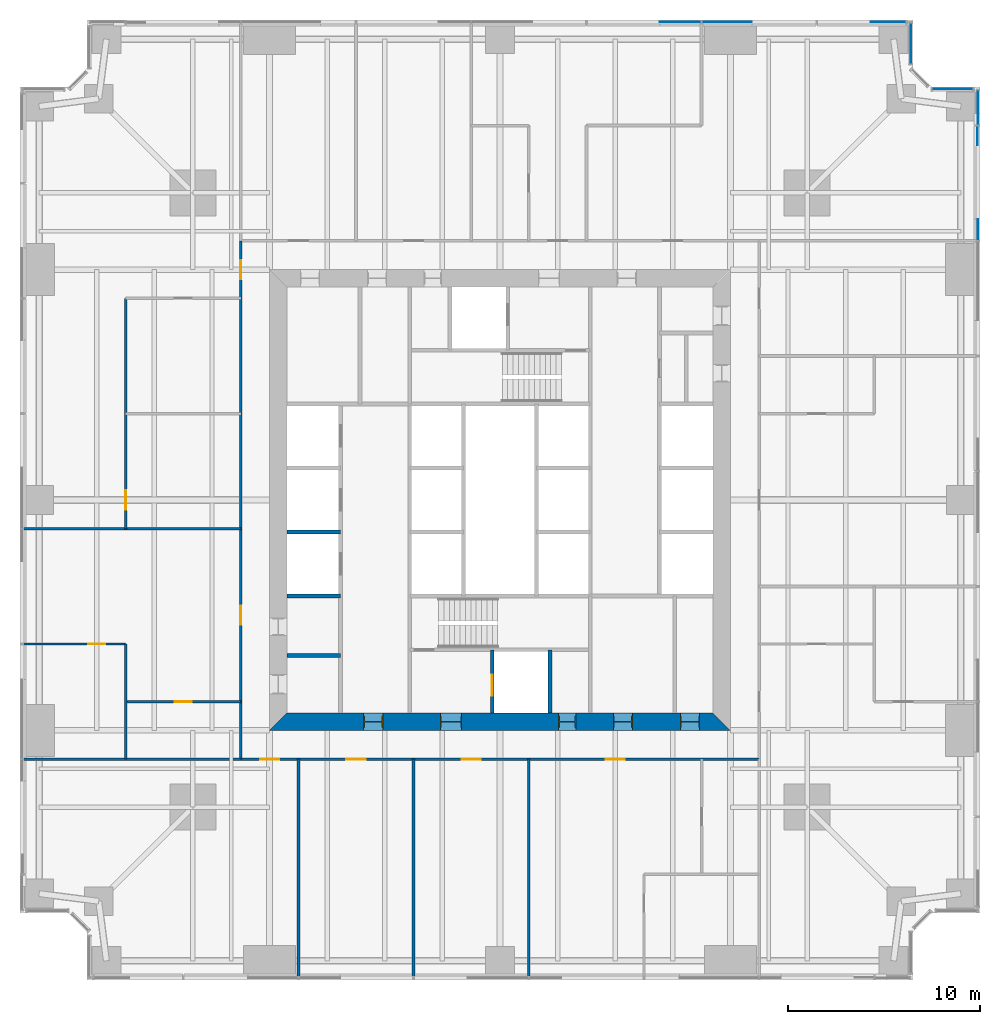
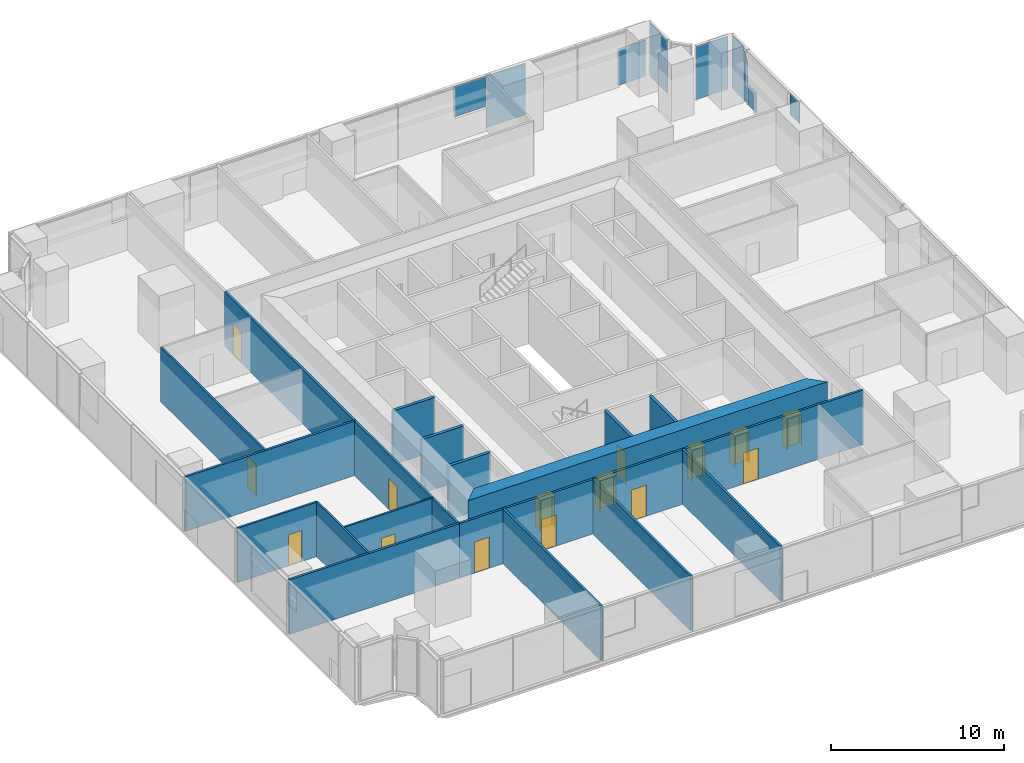
# One storey, part 9 of 14: 17 walls, 15 doors, 8 plates, 15 openings, 4 elements without a shape of their own.
"""IFC4 building model written with IfcOpenShell, lengths in metres."""

from ifc_helpers import new_model, si_unit, direction, frame, frame_2d, origin, origin_2d, place, context, subcontext, project, spatial, polyline, rectangle, outline, extrude, material, layer, layer_set, type_object, element, fill, aggregate, save


model = new_model("IFC4")

# Units and contexts
model_context = context("Model", 3, precision=1e-05, world=origin(), true_north=direction((0.0, 1.0)))
body_context = subcontext(model_context, "Body", "Model", "MODEL_VIEW")
ifc_project = project(units=[si_unit("LENGTHUNIT", "METRE"), si_unit("AREAUNIT", "SQUARE_METRE"), si_unit("VOLUMEUNIT", "CUBIC_METRE"), si_unit("PLANEANGLEUNIT", "RADIAN"), si_unit("MASSUNIT", "GRAM", prefix="KILO")], contexts=[model_context])

# Site, building, storey
site_placement = place(None, origin())
site = spatial("IfcSite", under=ifc_project, at=site_placement, CompositionType="ELEMENT")
building_placement = place(site_placement, origin())
building = spatial("IfcBuilding", under=site, at=building_placement, Name="Fenwick Lantern Interchange", CompositionType="ELEMENT")
storey_placement = place(building_placement, frame((0.0, 0.0, 59.0)))
storey = spatial("IfcBuildingStorey", under=building, at=storey_placement, Name="L13", CompositionType="ELEMENT", Elevation=59.0)

# Curtain wall, plates
ifc_material_1 = material(Name="Aluminium curtain wall frame", Category="aluminium")
curtain_wall_type = type_object("IfcCurtainWallType", Name="OFFICE CURTAIN WALL", PredefinedType="USERDEFINED", material=ifc_material_1)
curtain_wall_1_placement = place(storey_placement, origin())
curtain_wall_1 = element("IfcCurtainWall", 1, at=curtain_wall_1_placement, inside=storey, type_object=curtain_wall_type, Name="Office curtain wall 05", ObjectType="OFFICE CURTAIN WALL", PredefinedType="USERDEFINED")
ifc_material_2 = material(Name="Vision glass, clear low-iron double glazed", Category="glass")
ifc_layer_1 = layer(ifc_material_2, 0.031982421875)
ifc_layer_set_1 = layer_set([ifc_layer_1], Name="OFFICE CURTAIN WALL PANEL 32")
plate_type = type_object("IfcPlateType", Name="OFFICE CURTAIN WALL PANEL 32", PredefinedType="CURTAIN_PANEL", material=ifc_layer_set_1)
plate_1_placement = place(storey_placement, frame((49.89990234375, 3.60009765625, 2.21044921875), z_axis=(0.0, 0.0, 1.0), x_axis=(0.0, 1.0, 0.0)))
plate_1 = element("IfcPlate", 2, at=plate_1_placement, type_object=plate_type, Name="L13/CW/05/P06a", PredefinedType="CURTAIN_PANEL", context=body_context, shape_type="SweptSolid", body=[
    extrude(outline(polyline([(34.9326171875, 0.0), (36.0224609375, 0.0), (36.0224609375, 1.53955078125), (34.9326171875, 1.53955078125), (34.9326171875, 0.0)])), frame((0.0, 0.01611328125, 0.0), z_axis=(0.0, -1.0, 0.0), x_axis=(1.0, 0.0, 0.0)), (0.0, 0.0, 1.0), 0.031982421875),
])
plate_2_placement = place(storey_placement, frame((49.89990234375, 3.60009765625, 0.0), z_axis=(0.0, 0.0, 1.0), x_axis=(0.0, 1.0, 0.0)))
plate_2 = element("IfcPlate", 3, at=plate_2_placement, type_object=plate_type, Name="L13/CW/05/P06b", PredefinedType="CURTAIN_PANEL", context=body_context, shape_type="SweptSolid", body=[
    extrude(outline(polyline([(39.868408203125, 0.0), (40.867431640625, 0.0), (40.867431640625, 1.411865234375), (39.868408203125, 1.411865234375), (39.868408203125, 0.0)])), frame((0.0, 0.0498046875, 0.0), z_axis=(0.0, -1.0, 0.0), x_axis=(1.0, 0.0, 0.0)), (0.0, 0.0, 1.0), 0.031982421875),
])
plate_3_placement = place(storey_placement, frame((49.89990234375, 3.60009765625, 0.0), z_axis=(0.0, 0.0, 1.0), x_axis=(0.0, 1.0, 0.0)))
plate_3 = element("IfcPlate", 4, at=plate_3_placement, type_object=plate_type, Name="L13/CW/05/P07a", PredefinedType="CURTAIN_PANEL", context=body_context, shape_type="SweptSolid", body=[
    extrude(outline(polyline([(40.9326171875, 0.0), (42.735107421875, 0.0), (42.735107421875, 3.75), (41.524658203125, 3.75), (40.9326171875, 2.9140625), (40.9326171875, 0.0)])), frame((0.0, 0.01611328125, 0.0), z_axis=(0.0, -1.0, 0.0), x_axis=(1.0, 0.0, 0.0)), (0.0, 0.0, 1.0), 0.031982421875),
])
aggregate(curtain_wall_1, [plate_1, plate_2, plate_3])

# Curtain wall, plate
curtain_wall_2_placement = place(storey_placement, origin())
curtain_wall_2 = element("IfcCurtainWall", 5, at=curtain_wall_2_placement, inside=storey, type_object=curtain_wall_type, Name="Office curtain wall 06", ObjectType="OFFICE CURTAIN WALL", PredefinedType="USERDEFINED")
plate_4_placement = place(storey_placement, frame((48.579345703125, 46.39990234375, 0.0), z_axis=(0.0, 0.0, 1.0), x_axis=(-1.0, 0.0, 0.0)))
plate_4 = element("IfcPlate", 6, at=plate_4_placement, type_object=plate_type, Name="L13/CW/06/P00", PredefinedType="CURTAIN_PANEL", context=body_context, shape_type="SweptSolid", body=[
    extrude(rectangle(XDim=2.111328125, YDim=0.031982421875, at=origin_2d()), origin(), (0.0, 0.0, 1.0), 3.75),
])
aggregate(curtain_wall_2, [plate_4])

curtain_wall_3_placement = place(storey_placement, origin())
curtain_wall_3 = element("IfcCurtainWall", 7, at=curtain_wall_3_placement, inside=storey, type_object=curtain_wall_type, Name="Office curtain wall 08", ObjectType="OFFICE CURTAIN WALL", PredefinedType="USERDEFINED")
plate_5_placement = place(storey_placement, frame((46.39990234375, 48.779296875, 0.0), z_axis=(0.0, 0.0, 1.0), x_axis=(0.0, 1.0, 0.0)))
plate_5 = element("IfcPlate", 8, at=plate_5_placement, type_object=plate_type, Name="L13/CW/08/P00", PredefinedType="CURTAIN_PANEL", context=body_context, shape_type="SweptSolid", body=[
    extrude(rectangle(XDim=2.111328125, YDim=0.031982421875, at=origin_2d()), origin(), (0.0, 0.0, 1.0), 3.75),
])
aggregate(curtain_wall_3, [plate_5])

# Curtain wall, plates
curtain_wall_4_placement = place(storey_placement, origin())
curtain_wall_4 = element("IfcCurtainWall", 9, at=curtain_wall_4_placement, inside=storey, type_object=curtain_wall_type, Name="Office curtain wall 09", ObjectType="OFFICE CURTAIN WALL", PredefinedType="USERDEFINED")
plate_6_placement = place(storey_placement, frame((46.39990234375, 49.89990234375, 0.0), z_axis=(0.0, 0.0, 1.0), x_axis=(-1.0, 0.0, 0.0)))
plate_6 = element("IfcPlate", 10, at=plate_6_placement, type_object=plate_type, Name="L13/CW/09/P00a", PredefinedType="CURTAIN_PANEL", context=body_context, shape_type="SweptSolid", body=[
    extrude(outline(polyline([(0.264892578125, 0.0), (2.10009765625, 0.0), (2.10009765625, 2.585693359375), (0.264892578125, 2.585693359375), (0.264892578125, 0.0)])), frame((0.0, 0.01611328125, 0.0), z_axis=(0.0, -1.0, 0.0), x_axis=(1.0, 0.0, 0.0)), (0.0, 0.0, 1.0), 0.031982421875),
])
plate_7_placement = place(storey_placement, frame((46.39990234375, 49.89990234375, 0.093505859375), z_axis=(0.0, 0.0, 1.0), x_axis=(-1.0, 0.0, 0.0)))
plate_7 = element("IfcPlate", 11, at=plate_7_placement, type_object=plate_type, Name="L13/CW/09/P01a", PredefinedType="CURTAIN_PANEL", context=body_context, shape_type="SweptSolid", body=[
    extrude(outline(polyline([(8.277099609375, 0.0), (10.867431640625, 0.0), (10.867431640625, 3.656494140625), (8.277099609375, 3.656494140625), (8.277099609375, 0.0)])), frame((0.0, 0.01611328125, 0.0), z_axis=(0.0, -1.0, 0.0), x_axis=(1.0, 0.0, 0.0)), (0.0, 0.0, 1.0), 0.031982421875),
])
plate_8_placement = place(storey_placement, frame((46.39990234375, 49.89990234375, 1.612060546875), z_axis=(0.0, 0.0, 1.0), x_axis=(-1.0, 0.0, 0.0)))
plate_8 = element("IfcPlate", 12, at=plate_8_placement, type_object=plate_type, Name="L13/CW/09/P02a", PredefinedType="CURTAIN_PANEL", context=body_context, shape_type="SweptSolid", body=[
    extrude(outline(polyline([(10.9326171875, 0.0), (13.072509765625, 0.0), (13.072509765625, 2.137939453125), (10.9326171875, 2.137939453125), (10.9326171875, 0.0)])), frame((0.0, 0.01611328125, 0.0), z_axis=(0.0, -1.0, 0.0), x_axis=(1.0, 0.0, 0.0)), (0.0, 0.0, 1.0), 0.031982421875),
])
aggregate(curtain_wall_4, [plate_6, plate_7, plate_8])

# Walls
ifc_material_3 = material(Name="Concrete masonry ASTM C90 Grade N", Category="masonry")
ifc_layer_2 = layer(ifc_material_3, 0.199951171875)
ifc_layer_set_2 = layer_set([ifc_layer_2], Name="Concrete masonry ASTM C90 Grade N")
wall_type_1 = type_object("IfcWallType", Name="CORE PARTITION 200", PredefinedType="PARTITIONING", material=ifc_layer_set_2)
for number, where, z_axis, x_axis, name in (
    (13, (13.89990234375, 20.0, 0.0), (0.0, 0.0, 1.0), (1.0, 0.0, 0.0), "L13/W/CORES/c2"),
    (14, (13.89990234375, 23.333251953125, 0.0), (0.0, 0.0, 1.0), (1.0, 0.0, 0.0), "L13/W/CORES/d1"),
):
    element("IfcWall", number, at=place(storey_placement, frame(where, z_axis=z_axis, x_axis=x_axis)), inside=storey, type_object=wall_type_1, Name=name, PredefinedType="PARTITIONING", context=body_context, shape_type="SweptSolid", body=[
        extrude(rectangle(XDim=2.800048828125, YDim=0.199951171875, at=frame_2d((1.39990234375, 0.0))), origin(), (0.0, 0.0, 1.0), 3.800048828125),
    ])

# Wall, opening, door
wall_1_placement = place(storey_placement, frame((24.60009765625, 13.89990234375, 0.0), z_axis=(0.0, 0.0, 1.0), x_axis=(0.0, 1.0, 0.0)))
wall_1 = element("IfcWall", 15, at=wall_1_placement, inside=storey, type_object=wall_type_1, Name="L13/W/CORES/h1", PredefinedType="PARTITIONING", context=body_context, shape_type="SweptSolid", body=[
    extrude(rectangle(XDim=3.300048828125, YDim=0.199951171875, at=frame_2d((1.64990234375, 0.0))), origin(), (0.0, 0.0, 1.0), 3.800048828125),
])
opening_1_placement = place(wall_1_placement, frame((0.89990234375, 0.0, 0.0)))
opening_1 = element("IfcOpeningElement", 16, at=opening_1_placement, cuts=wall_1, Name="Opening LD-FL1", PredefinedType="OPENING", context=body_context, shape_type="SweptSolid", body=[
    extrude(rectangle(XDim=1.10009765625, YDim=2.199951171875, at=frame_2d((0.550048828125, 1.10009765625))), frame((0.0, 0.10986328125, 0.0), z_axis=(0.0, -1.0, 0.0), x_axis=(1.0, 0.0, 0.0)), (0.0, 0.0, 1.0), 0.219970703125),
])
ifc_material_4 = material(Name="Steel door and frame", Category="steel")
door_type_1 = type_object("IfcDoorType", Name="LIFT LANDING DOOR 1100 X 2200", OperationType="DOUBLE_DOOR_SLIDING", PredefinedType="DOOR", material=ifc_material_4)
door_1_placement = place(opening_1_placement, origin())
door_1 = element("IfcDoor", 17, at=door_1_placement, inside=storey, type_object=door_type_1, Name="Lift landing door FL1", OperationType="DOUBLE_DOOR_SLIDING", OverallHeight=2.199951171875, OverallWidth=1.10009765625, PredefinedType="DOOR", context=body_context, shape_type="SweptSolid", body=[
    extrude(rectangle(XDim=1.10009765625, YDim=2.199951171875, at=frame_2d((0.550048828125, 1.10009765625))), frame((0.0, 0.02490234375, 0.0), z_axis=(0.0, -1.0, 0.0), x_axis=(1.0, 0.0, 0.0)), (0.0, 0.0, 1.0), 0.050048828125),
])
fill(opening_1, door_1)

# Walls
wall_2_placement = place(storey_placement, frame((27.60009765625, 13.89990234375, 0.0), z_axis=(0.0, 0.0, 1.0), x_axis=(0.0, 1.0, 0.0)))
element("IfcWall", 18, at=wall_2_placement, inside=storey, type_object=wall_type_1, Name="L13/W/CORES/h2", PredefinedType="PARTITIONING", context=body_context, shape_type="SweptSolid", body=[
    extrude(rectangle(XDim=3.300048828125, YDim=0.199951171875, at=frame_2d((1.64990234375, 0.0))), origin(), (0.0, 0.0, 1.0), 3.800048828125),
])
wall_3_placement = place(storey_placement, frame((13.89990234375, 16.89990234375, 0.0), z_axis=(0.0, 0.0, 1.0), x_axis=(1.0, 0.0, 0.0)))
element("IfcWall", 19, at=wall_3_placement, inside=storey, type_object=wall_type_1, Name="L13/W/CORES/p1", PredefinedType="PARTITIONING", context=body_context, shape_type="SweptSolid", body=[
    extrude(rectangle(XDim=2.800048828125, YDim=0.199951171875, at=frame_2d((1.39990234375, 0.0))), origin(), (0.0, 0.0, 1.0), 3.800048828125),
])

# Wall, openings, doors
ifc_material_5 = material(Name="Concrete f'c 70 MPa", Category="concrete")
ifc_layer_3 = layer(ifc_material_5, 0.89990234375)
ifc_layer_set_3 = layer_set([ifc_layer_3], Name="CORE WALL 900")
wall_type_2 = type_object("IfcWallType", Name="CORE WALL 900", PredefinedType="SHEAR", material=ifc_layer_set_3)
wall_4_placement = place(storey_placement, frame((13.0, 13.449951171875, 0.0), z_axis=(0.0, 0.0, 1.0), x_axis=(1.0, 0.0, 0.0)))
wall_4 = element("IfcWall", 20, at=wall_4_placement, inside=storey, type_object=wall_type_2, Name="L13/CORE/S", PredefinedType="SHEAR", context=body_context, shape_type="SweptSolid", body=[
    extrude(outline(polyline([(0.0, -0.449951171875), (24.0, -0.449951171875), (23.10009765625, 0.449951171875), (0.89990234375, 0.449951171875), (0.0, -0.449951171875)])), origin(), (0.0, 0.0, 1.0), 4.0),
])
opening_2_placement = place(wall_4_placement, frame((4.89990234375, 0.0, 0.0)))
opening_2 = element("IfcOpeningElement", 21, at=opening_2_placement, cuts=wall_4, Name="Opening L13-D001", PredefinedType="OPENING", context=body_context, shape_type="SweptSolid", body=[
    extrude(rectangle(XDim=1.0, YDim=2.199951171875, at=frame_2d((0.5, 1.10009765625))), frame((0.0, 0.4599609375, 0.0), z_axis=(0.0, -1.0, 0.0), x_axis=(1.0, 0.0, 0.0)), (0.0, 0.0, 1.0), 0.919921875),
])
opening_3_placement = place(wall_4_placement, frame((8.89990234375, 0.0, 0.0)))
opening_3 = element("IfcOpeningElement", 22, at=opening_3_placement, cuts=wall_4, Name="Opening L13-D002", PredefinedType="OPENING", context=body_context, shape_type="SweptSolid", body=[
    extrude(rectangle(XDim=1.10009765625, YDim=2.199951171875, at=frame_2d((0.550048828125, 1.10009765625))), frame((0.0, 0.4599609375, 0.0), z_axis=(0.0, -1.0, 0.0), x_axis=(1.0, 0.0, 0.0)), (0.0, 0.0, 1.0), 0.919921875),
])
opening_4_placement = place(wall_4_placement, frame((15.050048828125, 0.0, 0.0)))
opening_4 = element("IfcOpeningElement", 23, at=opening_4_placement, cuts=wall_4, Name="Opening L13-D004", PredefinedType="OPENING", context=body_context, shape_type="SweptSolid", body=[
    extrude(rectangle(XDim=0.89990234375, YDim=2.199951171875, at=frame_2d((0.449951171875, 1.10009765625))), frame((0.0, 0.4599609375, 0.0), z_axis=(0.0, -1.0, 0.0), x_axis=(1.0, 0.0, 0.0)), (0.0, 0.0, 1.0), 0.919921875),
])
opening_5_placement = place(wall_4_placement, frame((17.89990234375, 0.0, 0.0)))
opening_5 = element("IfcOpeningElement", 24, at=opening_5_placement, cuts=wall_4, Name="Opening L13-D005", PredefinedType="OPENING", context=body_context, shape_type="SweptSolid", body=[
    extrude(rectangle(XDim=1.0, YDim=2.199951171875, at=frame_2d((0.5, 1.10009765625))), frame((0.0, 0.4599609375, 0.0), z_axis=(0.0, -1.0, 0.0), x_axis=(1.0, 0.0, 0.0)), (0.0, 0.0, 1.0), 0.919921875),
])
opening_6_placement = place(wall_4_placement, frame((21.39990234375, 0.0, 0.0)))
opening_6 = element("IfcOpeningElement", 25, at=opening_6_placement, cuts=wall_4, Name="Opening L13-D006", PredefinedType="OPENING", context=body_context, shape_type="SweptSolid", body=[
    extrude(rectangle(XDim=1.0, YDim=2.199951171875, at=frame_2d((0.5, 1.10009765625))), frame((0.0, 0.4599609375, 0.0), z_axis=(0.0, -1.0, 0.0), x_axis=(1.0, 0.0, 0.0)), (0.0, 0.0, 1.0), 0.919921875),
])
door_type_2 = type_object("IfcDoorType", Name="CORE LOBBY DOOR 1000 X 2200", OperationType="SINGLE_SWING_LEFT", PredefinedType="DOOR", material=ifc_material_4)
door_2_placement = place(opening_2_placement, origin())
door_2 = element("IfcDoor", 26, at=door_2_placement, inside=storey, type_object=door_type_2, Name="Core lobby door", OperationType="SINGLE_SWING_LEFT", OverallHeight=2.199951171875, OverallWidth=1.0, PredefinedType="DOOR", context=body_context, shape_type="SweptSolid", body=[
    extrude(rectangle(XDim=1.0, YDim=2.199951171875, at=frame_2d((0.5, 1.10009765625))), frame((0.0, 0.02490234375, 0.0), z_axis=(0.0, -1.0, 0.0), x_axis=(1.0, 0.0, 0.0)), (0.0, 0.0, 1.0), 0.050048828125),
    extrude(outline(polyline([(0.0, 0.0), (0.0400390625, 0.0), (0.0400390625, 2.159912109375), (0.9599609375, 2.159912109375), (0.9599609375, 0.0), (1.0, 0.0), (1.0, 2.199951171875), (0.0, 2.199951171875), (0.0, 0.0)])), frame((0.0, 0.300048828125, 0.0), z_axis=(0.0, -1.0, 0.0), x_axis=(1.0, 0.0, 0.0)), (0.0, 0.0, 1.0), 0.60009765625),
])
fill(opening_2, door_2)
door_type_3 = type_object("IfcDoorType", Name="FIRE LOBBY DOOR 1100 X 2200", OperationType="SINGLE_SWING_LEFT", PredefinedType="DOOR", material=ifc_material_4)
door_3_placement = place(opening_3_placement, origin())
door_3 = element("IfcDoor", 27, at=door_3_placement, inside=storey, type_object=door_type_3, Name="Fire lobby door", OperationType="SINGLE_SWING_LEFT", OverallHeight=2.199951171875, OverallWidth=1.10009765625, PredefinedType="DOOR", context=body_context, shape_type="SweptSolid", body=[
    extrude(rectangle(XDim=1.10009765625, YDim=2.199951171875, at=frame_2d((0.550048828125, 1.10009765625))), frame((0.0, 0.02490234375, 0.0), z_axis=(0.0, -1.0, 0.0), x_axis=(1.0, 0.0, 0.0)), (0.0, 0.0, 1.0), 0.050048828125),
    extrude(outline(polyline([(0.0, 0.0), (0.0400390625, 0.0), (0.0400390625, 2.159912109375), (1.06005859375, 2.159912109375), (1.06005859375, 0.0), (1.10009765625, 0.0), (1.10009765625, 2.199951171875), (0.0, 2.199951171875), (0.0, 0.0)])), frame((0.0, 0.300048828125, 0.0), z_axis=(0.0, -1.0, 0.0), x_axis=(1.0, 0.0, 0.0)), (0.0, 0.0, 1.0), 0.60009765625),
])
fill(opening_3, door_3)
door_type_4 = type_object("IfcDoorType", Name="SERVICE DOOR 900 X 2200", OperationType="SINGLE_SWING_LEFT", PredefinedType="DOOR", material=ifc_material_4)
door_4_placement = place(opening_4_placement, origin())
door_4 = element("IfcDoor", 28, at=door_4_placement, inside=storey, type_object=door_type_4, Name="Service door", OperationType="SINGLE_SWING_LEFT", OverallHeight=2.199951171875, OverallWidth=0.89990234375, PredefinedType="DOOR", context=body_context, shape_type="SweptSolid", body=[
    extrude(rectangle(XDim=0.89990234375, YDim=2.199951171875, at=frame_2d((0.449951171875, 1.10009765625))), frame((0.0, 0.02490234375, 0.0), z_axis=(0.0, -1.0, 0.0), x_axis=(1.0, 0.0, 0.0)), (0.0, 0.0, 1.0), 0.050048828125),
    extrude(outline(polyline([(0.0, 0.0), (0.0400390625, 0.0), (0.0400390625, 2.159912109375), (0.85986328125, 2.159912109375), (0.85986328125, 0.0), (0.89990234375, 0.0), (0.89990234375, 2.199951171875), (0.0, 2.199951171875), (0.0, 0.0)])), frame((0.0, 0.300048828125, 0.0), z_axis=(0.0, -1.0, 0.0), x_axis=(1.0, 0.0, 0.0)), (0.0, 0.0, 1.0), 0.60009765625),
])
fill(opening_4, door_4)
ifc_material_6 = material(Name="Hardwood door and steel frame", Category="steel")
door_type_5 = type_object("IfcDoorType", Name="WC DOOR 1000 X 2200", OperationType="SINGLE_SWING_LEFT", PredefinedType="DOOR", material=ifc_material_6)
door_5_placement = place(opening_5_placement, origin())
door_5 = element("IfcDoor", 29, at=door_5_placement, inside=storey, type_object=door_type_5, Name="Wc door", OperationType="SINGLE_SWING_LEFT", OverallHeight=2.199951171875, OverallWidth=1.0, PredefinedType="DOOR", context=body_context, shape_type="SweptSolid", body=[
    extrude(rectangle(XDim=1.0, YDim=2.199951171875, at=frame_2d((0.5, 1.10009765625))), frame((0.0, 0.02490234375, 0.0), z_axis=(0.0, -1.0, 0.0), x_axis=(1.0, 0.0, 0.0)), (0.0, 0.0, 1.0), 0.050048828125),
    extrude(outline(polyline([(0.0, 0.0), (0.0400390625, 0.0), (0.0400390625, 2.159912109375), (0.9599609375, 2.159912109375), (0.9599609375, 0.0), (1.0, 0.0), (1.0, 2.199951171875), (0.0, 2.199951171875), (0.0, 0.0)])), frame((0.0, 0.300048828125, 0.0), z_axis=(0.0, -1.0, 0.0), x_axis=(1.0, 0.0, 0.0)), (0.0, 0.0, 1.0), 0.60009765625),
])
fill(opening_5, door_5)
door_6_placement = place(opening_6_placement, origin())
door_6 = element("IfcDoor", 30, at=door_6_placement, inside=storey, type_object=door_type_5, Name="Wc door", OperationType="SINGLE_SWING_LEFT", OverallHeight=2.199951171875, OverallWidth=1.0, PredefinedType="DOOR", context=body_context, shape_type="SweptSolid", body=[
    extrude(rectangle(XDim=1.0, YDim=2.199951171875, at=frame_2d((0.5, 1.10009765625))), frame((0.0, 0.02490234375, 0.0), z_axis=(0.0, -1.0, 0.0), x_axis=(1.0, 0.0, 0.0)), (0.0, 0.0, 1.0), 0.050048828125),
    extrude(outline(polyline([(0.0, 0.0), (0.0400390625, 0.0), (0.0400390625, 2.159912109375), (0.9599609375, 2.159912109375), (0.9599609375, 0.0), (1.0, 0.0), (1.0, 2.199951171875), (0.0, 2.199951171875), (0.0, 0.0)])), frame((0.0, 0.300048828125, 0.0), z_axis=(0.0, -1.0, 0.0), x_axis=(1.0, 0.0, 0.0)), (0.0, 0.0, 1.0), 0.60009765625),
])
fill(opening_6, door_6)

ifc_material_7 = material(Name="Gypsum board on steel studs, 1 hour", Category="steel")
ifc_layer_4 = layer(ifc_material_7, 0.14990234375)
ifc_layer_set_4 = layer_set([ifc_layer_4], Name="CORRIDOR WALL 150")
wall_type_3 = type_object("IfcWallType", Name="CORRIDOR WALL 150", PredefinedType="PARTITIONING", material=ifc_layer_set_4)
wall_5_placement = place(storey_placement, frame((11.5, 11.5, 0.0), z_axis=(0.0, 0.0, 1.0), x_axis=(1.0, 0.0, 0.0)))
wall_5 = element("IfcWall", 31, at=wall_5_placement, inside=storey, type_object=wall_type_3, Name="L13/W/OFF/S/CW", PredefinedType="PARTITIONING", context=body_context, shape_type="SweptSolid", body=[
    extrude(rectangle(XDim=27.0, YDim=0.14990234375, at=frame_2d((13.5, 0.0))), origin(), (0.0, 0.0, 1.0), 3.85009765625),
])
opening_7_placement = place(wall_5_placement, frame((1.0, 0.0, 0.0)))
opening_7 = element("IfcOpeningElement", 32, at=opening_7_placement, cuts=wall_5, Name="Opening L13-D018", PredefinedType="OPENING", context=body_context, shape_type="SweptSolid", body=[
    extrude(rectangle(XDim=1.0, YDim=2.199951171875, at=frame_2d((0.5, 1.10009765625))), frame((0.0, 0.0849609375, 0.0), z_axis=(0.0, -1.0, 0.0), x_axis=(1.0, 0.0, 0.0)), (0.0, 0.0, 1.0), 0.169921875),
])
opening_8_placement = place(wall_5_placement, frame((5.5, 0.0, 0.0)))
opening_8 = element("IfcOpeningElement", 33, at=opening_8_placement, cuts=wall_5, Name="Opening L13-D019", PredefinedType="OPENING", context=body_context, shape_type="SweptSolid", body=[
    extrude(rectangle(XDim=1.0, YDim=2.199951171875, at=frame_2d((0.5, 1.10009765625))), frame((0.0, 0.0849609375, 0.0), z_axis=(0.0, -1.0, 0.0), x_axis=(1.0, 0.0, 0.0)), (0.0, 0.0, 1.0), 0.169921875),
])
opening_9_placement = place(wall_5_placement, frame((11.5, 0.0, 0.0)))
opening_9 = element("IfcOpeningElement", 34, at=opening_9_placement, cuts=wall_5, Name="Opening L13-D020", PredefinedType="OPENING", context=body_context, shape_type="SweptSolid", body=[
    extrude(rectangle(XDim=1.0, YDim=2.199951171875, at=frame_2d((0.5, 1.10009765625))), frame((0.0, 0.0849609375, 0.0), z_axis=(0.0, -1.0, 0.0), x_axis=(1.0, 0.0, 0.0)), (0.0, 0.0, 1.0), 0.169921875),
])
opening_10_placement = place(wall_5_placement, frame((19.0, 0.0, 0.0)))
opening_10 = element("IfcOpeningElement", 35, at=opening_10_placement, cuts=wall_5, Name="Opening L13-D021", PredefinedType="OPENING", context=body_context, shape_type="SweptSolid", body=[
    extrude(rectangle(XDim=1.0, YDim=2.199951171875, at=frame_2d((0.5, 1.10009765625))), frame((0.0, 0.0849609375, 0.0), z_axis=(0.0, -1.0, 0.0), x_axis=(1.0, 0.0, 0.0)), (0.0, 0.0, 1.0), 0.169921875),
])
door_type_6 = type_object("IfcDoorType", Name="SUITE ENTRANCE DOOR 1000 X 2200", OperationType="SINGLE_SWING_LEFT", PredefinedType="DOOR", material=ifc_material_4)
door_7_placement = place(opening_7_placement, frame((1.0, 0.0, 0.0), z_axis=(0.0, 0.0, 1.0), x_axis=(-1.0, 0.0, 0.0)))
door_7 = element("IfcDoor", 36, at=door_7_placement, inside=storey, type_object=door_type_6, Name="Suite entrance door", OperationType="SINGLE_SWING_LEFT", OverallHeight=2.199951171875, OverallWidth=1.0, PredefinedType="DOOR", context=body_context, shape_type="SweptSolid", body=[
    extrude(rectangle(XDim=1.0, YDim=2.199951171875, at=frame_2d((0.5, 1.10009765625))), frame((0.0, 0.02490234375, 0.0), z_axis=(0.0, -1.0, 0.0), x_axis=(1.0, 0.0, 0.0)), (0.0, 0.0, 1.0), 0.050048828125),
])
fill(opening_7, door_7)
door_8_placement = place(opening_8_placement, frame((1.0, 0.0, 0.0), z_axis=(0.0, 0.0, 1.0), x_axis=(-1.0, 0.0, 0.0)))
door_8 = element("IfcDoor", 37, at=door_8_placement, inside=storey, type_object=door_type_6, Name="Suite entrance door", OperationType="SINGLE_SWING_RIGHT", OverallHeight=2.199951171875, OverallWidth=1.0, PredefinedType="DOOR", context=body_context, shape_type="SweptSolid", body=[
    extrude(rectangle(XDim=1.0, YDim=2.199951171875, at=frame_2d((0.5, 1.10009765625))), frame((0.0, 0.02490234375, 0.0), z_axis=(0.0, -1.0, 0.0), x_axis=(1.0, 0.0, 0.0)), (0.0, 0.0, 1.0), 0.050048828125),
])
fill(opening_8, door_8)
door_9_placement = place(opening_9_placement, frame((1.0, 0.0, 0.0), z_axis=(0.0, 0.0, 1.0), x_axis=(-1.0, 0.0, 0.0)))
door_9 = element("IfcDoor", 38, at=door_9_placement, inside=storey, type_object=door_type_6, Name="Suite entrance door", OperationType="SINGLE_SWING_RIGHT", OverallHeight=2.199951171875, OverallWidth=1.0, PredefinedType="DOOR", context=body_context, shape_type="SweptSolid", body=[
    extrude(rectangle(XDim=1.0, YDim=2.199951171875, at=frame_2d((0.5, 1.10009765625))), frame((0.0, 0.02490234375, 0.0), z_axis=(0.0, -1.0, 0.0), x_axis=(1.0, 0.0, 0.0)), (0.0, 0.0, 1.0), 0.050048828125),
])
fill(opening_9, door_9)
door_10_placement = place(opening_10_placement, frame((1.0, 0.0, 0.0), z_axis=(0.0, 0.0, 1.0), x_axis=(-1.0, 0.0, 0.0)))
door_10 = element("IfcDoor", 39, at=door_10_placement, inside=storey, type_object=door_type_6, Name="Suite entrance door", OperationType="SINGLE_SWING_RIGHT", OverallHeight=2.199951171875, OverallWidth=1.0, PredefinedType="DOOR", context=body_context, shape_type="SweptSolid", body=[
    extrude(rectangle(XDim=1.0, YDim=2.199951171875, at=frame_2d((0.5, 1.10009765625))), frame((0.0, 0.02490234375, 0.0), z_axis=(0.0, -1.0, 0.0), x_axis=(1.0, 0.0, 0.0)), (0.0, 0.0, 1.0), 0.050048828125),
])
fill(opening_10, door_10)

wall_6_placement = place(storey_placement, frame((11.5, 38.5, 0.0), z_axis=(0.0, 0.0, 1.0), x_axis=(0.0, -1.0, 0.0)))
wall_6 = element("IfcWall", 40, at=wall_6_placement, inside=storey, type_object=wall_type_3, Name="L13/W/OFF/W/CW", PredefinedType="PARTITIONING", context=body_context, shape_type="SweptSolid", body=[
    extrude(rectangle(XDim=27.0, YDim=0.14990234375, at=frame_2d((13.5, 0.0))), origin(), (0.0, 0.0, 1.0), 3.85009765625),
])
opening_11_placement = place(wall_6_placement, frame((1.0, 0.0, 0.0)))
opening_11 = element("IfcOpeningElement", 41, at=opening_11_placement, cuts=wall_6, Name="Opening L13-D035", PredefinedType="OPENING", context=body_context, shape_type="SweptSolid", body=[
    extrude(rectangle(XDim=1.0, YDim=2.199951171875, at=frame_2d((0.5, 1.10009765625))), frame((0.0, 0.0849609375, 0.0), z_axis=(0.0, -1.0, 0.0), x_axis=(1.0, 0.0, 0.0)), (0.0, 0.0, 1.0), 0.169921875),
])
opening_12_placement = place(wall_6_placement, frame((19.0, 0.0, 0.0)))
opening_12 = element("IfcOpeningElement", 42, at=opening_12_placement, cuts=wall_6, Name="Opening L13-D038", PredefinedType="OPENING", context=body_context, shape_type="SweptSolid", body=[
    extrude(rectangle(XDim=1.0, YDim=2.199951171875, at=frame_2d((0.5, 1.10009765625))), frame((0.0, 0.0849609375, 0.0), z_axis=(0.0, -1.0, 0.0), x_axis=(1.0, 0.0, 0.0)), (0.0, 0.0, 1.0), 0.169921875),
])
door_11_placement = place(opening_11_placement, frame((1.0, 0.0, 0.0), z_axis=(0.0, 0.0, 1.0), x_axis=(-1.0, 0.0, 0.0)))
door_11 = element("IfcDoor", 43, at=door_11_placement, inside=storey, type_object=door_type_6, Name="Suite entrance door", OperationType="SINGLE_SWING_LEFT", OverallHeight=2.199951171875, OverallWidth=1.0, PredefinedType="DOOR", context=body_context, shape_type="SweptSolid", body=[
    extrude(rectangle(XDim=1.0, YDim=2.199951171875, at=frame_2d((0.5, 1.10009765625))), frame((0.0, 0.02490234375, 0.0), z_axis=(0.0, -1.0, 0.0), x_axis=(1.0, 0.0, 0.0)), (0.0, 0.0, 1.0), 0.050048828125),
])
fill(opening_11, door_11)
door_12_placement = place(opening_12_placement, frame((1.0, 0.0, 0.0), z_axis=(0.0, 0.0, 1.0), x_axis=(-1.0, 0.0, 0.0)))
door_12 = element("IfcDoor", 44, at=door_12_placement, inside=storey, type_object=door_type_6, Name="Suite entrance door", OperationType="SINGLE_SWING_RIGHT", OverallHeight=2.199951171875, OverallWidth=1.0, PredefinedType="DOOR", context=body_context, shape_type="SweptSolid", body=[
    extrude(rectangle(XDim=1.0, YDim=2.199951171875, at=frame_2d((0.5, 1.10009765625))), frame((0.0, 0.02490234375, 0.0), z_axis=(0.0, -1.0, 0.0), x_axis=(1.0, 0.0, 0.0)), (0.0, 0.0, 1.0), 0.050048828125),
])
fill(opening_12, door_12)

# Wall, opening, door
ifc_material_8 = material(Name="Gypsum board on steel studs, acoustic", Category="steel")
ifc_layer_5 = layer(ifc_material_8, 0.125)
ifc_layer_set_5 = layer_set([ifc_layer_5], Name="OFFICE PARTITION 125")
wall_type_4 = type_object("IfcWallType", Name="OFFICE PARTITION 125", PredefinedType="PARTITIONING", material=ifc_layer_set_5)
wall_7_placement = place(storey_placement, frame((0.14990234375, 17.5, 0.0), z_axis=(0.0, 0.0, 1.0), x_axis=(1.0, 0.0, 0.0)))
wall_7 = element("IfcWall", 45, at=wall_7_placement, inside=storey, type_object=wall_type_4, Name="L13/W/OFF/W/X325-1", PredefinedType="PARTITIONING", context=body_context, shape_type="SweptSolid", body=[
    extrude(rectangle(XDim=5.35009765625, YDim=0.125, at=frame_2d((2.675048828125, 0.0))), origin(), (0.0, 0.0, 1.0), 3.85009765625),
])
opening_13_placement = place(wall_7_placement, frame((3.39990234375, 0.0, 0.0)))
opening_13 = element("IfcOpeningElement", 46, at=opening_13_placement, cuts=wall_7, Name="Opening L13-D040", PredefinedType="OPENING", context=body_context, shape_type="SweptSolid", body=[
    extrude(rectangle(XDim=0.89990234375, YDim=2.199951171875, at=frame_2d((0.449951171875, 1.10009765625))), frame((0.0, 0.072509765625, 0.0), z_axis=(0.0, -1.0, 0.0), x_axis=(1.0, 0.0, 0.0)), (0.0, 0.0, 1.0), 0.14501953125),
])
door_type_7 = type_object("IfcDoorType", Name="OFFICE DOOR 900 X 2200", OperationType="SINGLE_SWING_LEFT", PredefinedType="DOOR", material=ifc_material_6)
door_13_placement = place(opening_13_placement, frame((0.89990234375, 0.0, 0.0), z_axis=(0.0, 0.0, 1.0), x_axis=(-1.0, 0.0, 0.0)))
door_13 = element("IfcDoor", 47, at=door_13_placement, inside=storey, type_object=door_type_7, Name="Office door", OperationType="SINGLE_SWING_LEFT", OverallHeight=2.199951171875, OverallWidth=0.89990234375, PredefinedType="DOOR", context=body_context, shape_type="SweptSolid", body=[
    extrude(rectangle(XDim=0.89990234375, YDim=2.199951171875, at=frame_2d((0.449951171875, 1.10009765625))), frame((0.0, 0.02490234375, 0.0), z_axis=(0.0, -1.0, 0.0), x_axis=(1.0, 0.0, 0.0)), (0.0, 0.0, 1.0), 0.050048828125),
])
fill(opening_13, door_13)

wall_8_placement = place(storey_placement, frame((5.5, 14.5, 0.0), z_axis=(0.0, 0.0, 1.0), x_axis=(1.0, 0.0, 0.0)))
wall_8 = element("IfcWall", 48, at=wall_8_placement, inside=storey, type_object=wall_type_4, Name="L13/W/OFF/W/X355-1", PredefinedType="PARTITIONING", context=body_context, shape_type="SweptSolid", body=[
    extrude(rectangle(XDim=6.0, YDim=0.125, at=frame_2d((3.0, 0.0))), origin(), (0.0, 0.0, 1.0), 3.85009765625),
])
opening_14_placement = place(wall_8_placement, frame((2.550048828125, 0.0, 0.0)))
opening_14 = element("IfcOpeningElement", 49, at=opening_14_placement, cuts=wall_8, Name="Opening L13-D039", PredefinedType="OPENING", context=body_context, shape_type="SweptSolid", body=[
    extrude(rectangle(XDim=0.89990234375, YDim=2.199951171875, at=frame_2d((0.449951171875, 1.10009765625))), frame((0.0, 0.072509765625, 0.0), z_axis=(0.0, -1.0, 0.0), x_axis=(1.0, 0.0, 0.0)), (0.0, 0.0, 1.0), 0.14501953125),
])
door_14_placement = place(opening_14_placement, frame((0.89990234375, 0.0, 0.0), z_axis=(0.0, 0.0, 1.0), x_axis=(-1.0, 0.0, 0.0)))
door_14 = element("IfcDoor", 50, at=door_14_placement, inside=storey, type_object=door_type_7, Name="Office door", OperationType="SINGLE_SWING_RIGHT", OverallHeight=2.199951171875, OverallWidth=0.89990234375, PredefinedType="DOOR", context=body_context, shape_type="SweptSolid", body=[
    extrude(rectangle(XDim=0.89990234375, YDim=2.199951171875, at=frame_2d((0.449951171875, 1.10009765625))), frame((0.0, 0.02490234375, 0.0), z_axis=(0.0, -1.0, 0.0), x_axis=(1.0, 0.0, 0.0)), (0.0, 0.0, 1.0), 0.050048828125),
])
fill(opening_14, door_14)

wall_9_placement = place(storey_placement, frame((5.5, 35.5, 0.0), z_axis=(0.0, 0.0, 1.0), x_axis=(0.0, -1.0, 0.0)))
wall_9 = element("IfcWall", 51, at=wall_9_placement, inside=storey, type_object=wall_type_4, Name="L13/W/OFF/W/Y55-1", PredefinedType="PARTITIONING", context=body_context, shape_type="SweptSolid", body=[
    extrude(rectangle(XDim=12.0, YDim=0.125, at=frame_2d((6.0, 0.0))), origin(), (0.0, 0.0, 1.0), 3.85009765625),
])
opening_15_placement = place(wall_9_placement, frame((10.0, 0.0, 0.0)))
opening_15 = element("IfcOpeningElement", 52, at=opening_15_placement, cuts=wall_9, Name="Opening L13-D037", PredefinedType="OPENING", context=body_context, shape_type="SweptSolid", body=[
    extrude(rectangle(XDim=1.0, YDim=2.199951171875, at=frame_2d((0.5, 1.10009765625))), frame((0.0, 0.072509765625, 0.0), z_axis=(0.0, -1.0, 0.0), x_axis=(1.0, 0.0, 0.0)), (0.0, 0.0, 1.0), 0.14501953125),
])
door_type_8 = type_object("IfcDoorType", Name="MEETING ROOM DOOR 1000 X 2200", OperationType="SINGLE_SWING_LEFT", PredefinedType="DOOR", material=ifc_material_6)
door_15_placement = place(opening_15_placement, origin())
door_15 = element("IfcDoor", 53, at=door_15_placement, inside=storey, type_object=door_type_8, Name="Meeting room door", OperationType="SINGLE_SWING_RIGHT", OverallHeight=2.199951171875, OverallWidth=1.0, PredefinedType="DOOR", context=body_context, shape_type="SweptSolid", body=[
    extrude(rectangle(XDim=1.0, YDim=2.199951171875, at=frame_2d((0.5, 1.10009765625))), frame((0.0, 0.02490234375, 0.0), z_axis=(0.0, -1.0, 0.0), x_axis=(1.0, 0.0, 0.0)), (0.0, 0.0, 1.0), 0.050048828125),
])
fill(opening_15, door_15)

# Walls
wall_10_placement = place(storey_placement, frame((5.5, 17.5, 0.0), z_axis=(0.0, 0.0, 1.0), x_axis=(0.0, -1.0, 0.0)))
element("IfcWall", 54, at=wall_10_placement, inside=storey, type_object=wall_type_4, Name="L13/W/OFF/W/Y55-2", PredefinedType="PARTITIONING", context=body_context, shape_type="SweptSolid", body=[
    extrude(rectangle(XDim=6.0, YDim=0.125, at=frame_2d((3.0, 0.0))), origin(), (0.0, 0.0, 1.0), 3.85009765625),
])
ifc_material_9 = material(Name="Gypsum board on steel studs, 1 hour acoustic", Category="steel")
ifc_layer_6 = layer(ifc_material_9, 0.14990234375)
ifc_layer_set_6 = layer_set([ifc_layer_6], Name="TENANT WALL 150")
wall_type_5 = type_object("IfcWallType", Name="TENANT WALL 150", PredefinedType="PARTITIONING", material=ifc_layer_set_6)
for number, where, z_axis, x_axis, name in (
    (55, (0.14990234375, 11.5, 0.0), (0.0, 0.0, 1.0), (1.0, 0.0, 0.0), "L13/W/OFF/S/BACK"),
    (56, (14.5, 0.14990234375, 0.0), (0.0, 0.0, 1.0), (0.0, 1.0, 0.0), "L13/W/OFF/S/X145-1"),
    (57, (20.5, 0.14990234375, 0.0), (0.0, 0.0, 1.0), (0.0, 1.0, 0.0), "L13/W/OFF/S/X205-1"),
    (58, (26.5, 0.14990234375, 0.0), (0.0, 0.0, 1.0), (0.0, 1.0, 0.0), "L13/W/OFF/S/X265-1"),
    (59, (0.14990234375, 23.5, 0.0), (0.0, 0.0, 1.0), (1.0, 0.0, 0.0), "L13/W/OFF/W/X265-1"),
):
    element("IfcWall", number, at=place(storey_placement, frame(where, z_axis=z_axis, x_axis=x_axis)), inside=storey, type_object=wall_type_5, Name=name, PredefinedType="PARTITIONING", context=body_context, shape_type="SweptSolid", body=[
        extrude(rectangle(XDim=11.35009765625, YDim=0.14990234375, at=frame_2d((5.675048828125, 0.0))), origin(), (0.0, 0.0, 1.0), 3.85009765625),
    ])

save(model, "model.ifc")
